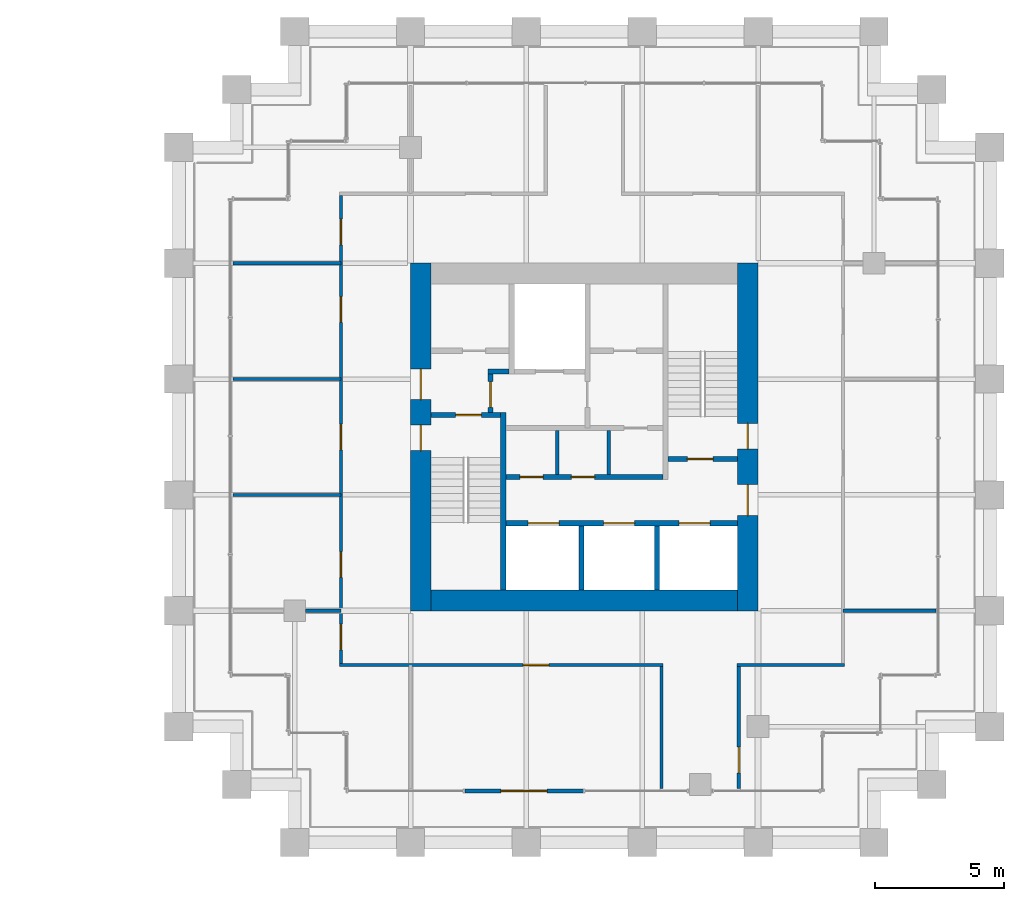
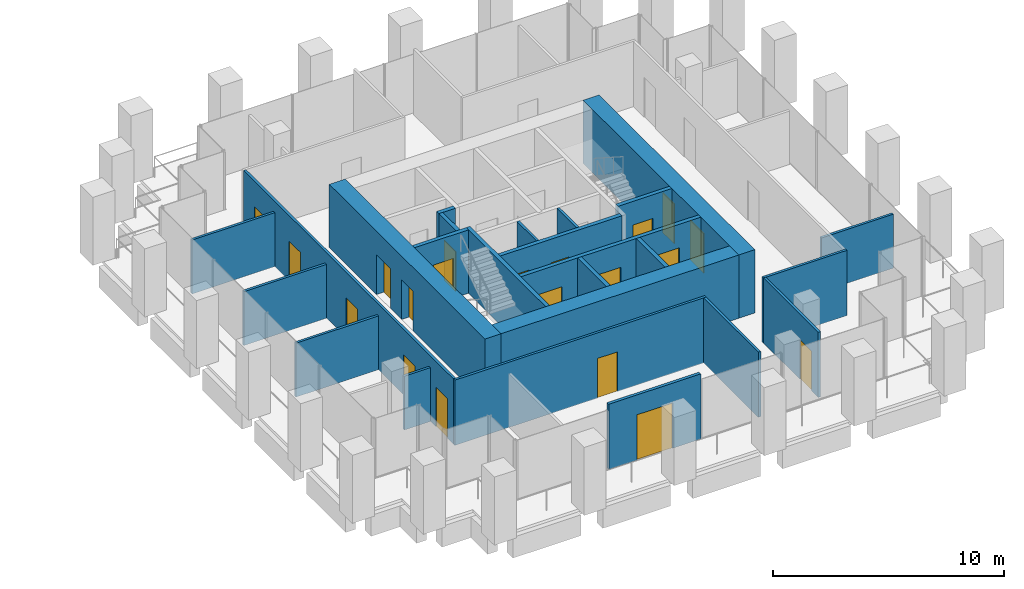
# One storey, part 52 of 56: 25 walls, 20 doors, 20 openings.
"""IFC4 building model written with IfcOpenShell, lengths in metres."""

from ifc_helpers import new_model, si_unit, direction, frame, frame_2d, origin, place, context, subcontext, project, spatial, rectangle, extrude, material, layer, layer_set, type_object, element, fill, save


model = new_model("IFC4")

# Units and contexts
model_context = context("Model", 3, precision=1e-05, world=origin(), true_north=direction((0.0, 1.0)))
body_context = subcontext(model_context, "Body", "Model", "MODEL_VIEW")
ifc_project = project(units=[si_unit("LENGTHUNIT", "METRE"), si_unit("AREAUNIT", "SQUARE_METRE"), si_unit("VOLUMEUNIT", "CUBIC_METRE"), si_unit("PLANEANGLEUNIT", "RADIAN"), si_unit("MASSUNIT", "GRAM", prefix="KILO")], contexts=[model_context])

# Site, building, storey
site_placement = place(None, origin())
site = spatial("IfcSite", under=ifc_project, at=site_placement, CompositionType="ELEMENT")
building_placement = place(site_placement, origin())
building = spatial("IfcBuilding", under=site, at=building_placement, Name="Altepetl Exchange Towers", CompositionType="ELEMENT")
storey_placement = place(building_placement, frame((0.0, 0.0, 51.0)))
storey = spatial("IfcBuildingStorey", under=building, at=storey_placement, Name="L11", CompositionType="ELEMENT", Elevation=51.0)

# Wall, openings, doors
ifc_material_1 = material(Name="Concrete C70/85", Category="concrete")
ifc_layer_1 = layer(ifc_material_1, 0.800048828125)
ifc_layer_set_1 = layer_set([ifc_layer_1], Name="Concrete C70/85")
wall_type_1 = type_object("IfcWallType", Name="Core wall 800 reinforced concrete", PredefinedType="SHEAR", material=ifc_layer_set_1)
wall_1_placement = place(storey_placement, frame((116.60009765625, 36.0, 0.0), z_axis=(0.0, 0.0, 1.0), x_axis=(0.0, 1.0, 0.0)))
wall_1 = element("IfcWall", 1, at=wall_1_placement, inside=storey, type_object=wall_type_1, Name="wall:B:L11:K-coreE", PredefinedType="SHEAR", context=body_context, shape_type="SweptSolid", body=[
    extrude(rectangle(XDim=13.5, YDim=0.800048828125, at=frame_2d((6.75, 0.0))), origin(), (0.0, 0.0, 1.0), 3.35009765625),
])
opening_1_placement = place(wall_1_placement, frame((3.699951171875, 0.0, 0.0)))
opening_1 = element("IfcOpeningElement", 2, at=opening_1_placement, cuts=wall_1, Name="Opening L11.B61", PredefinedType="OPENING", context=body_context, shape_type="SweptSolid", body=[
    extrude(rectangle(XDim=1.199951171875, YDim=2.10009765625, at=frame_2d((0.60009765625, 1.050048828125))), frame((0.0, 0.41015625, 0.0), z_axis=(0.0, -1.0, 0.0), x_axis=(1.0, 0.0, 0.0)), (0.0, 0.0, 1.0), 0.820068359375),
])
opening_2_placement = place(wall_1_placement, frame((6.27490234375, 0.0, 0.0)))
opening_2 = element("IfcOpeningElement", 3, at=opening_2_placement, cuts=wall_1, Name="Opening L11.B65", PredefinedType="OPENING", context=body_context, shape_type="SweptSolid", body=[
    extrude(rectangle(XDim=1.0, YDim=2.10009765625, at=frame_2d((0.5, 1.050048828125))), frame((0.0, 0.41015625, 0.0), z_axis=(0.0, -1.0, 0.0), x_axis=(1.0, 0.0, 0.0)), (0.0, 0.0, 1.0), 0.820068359375),
])
ifc_material_2 = material(Name="Steel and timber fire door", Category="steel")
door_type_1 = type_object("IfcDoorType", Name="Fire door 1000 x 2100 stair and lobby", OperationType="SINGLE_SWING_LEFT", PredefinedType="DOOR", material=ifc_material_2)
door_1_placement = place(opening_2_placement, origin())
door_1 = element("IfcDoor", 4, at=door_1_placement, inside=storey, type_object=door_type_1, Name="door:B:L11:K-dS2x", OperationType="SINGLE_SWING_LEFT", OverallHeight=2.10009765625, OverallWidth=1.0, PredefinedType="DOOR", context=body_context, shape_type="SweptSolid", body=[
    extrude(rectangle(XDim=1.0, YDim=2.10009765625, at=frame_2d((0.5, 1.050048828125))), frame((0.0, 0.02490234375, 0.0), z_axis=(0.0, -1.0, 0.0), x_axis=(1.0, 0.0, 0.0)), (0.0, 0.0, 1.0), 0.050048828125),
])
fill(opening_2, door_1)
door_type_2 = type_object("IfcDoorType", Name="Fire door 1200 x 2100 lobby entry", OperationType="SINGLE_SWING_LEFT", PredefinedType="DOOR", material=ifc_material_2)
door_2_placement = place(opening_1_placement, origin())
door_2 = element("IfcDoor", 5, at=door_2_placement, inside=storey, type_object=door_type_2, Name="door:B:L11:K-dLSE", OperationType="SINGLE_SWING_RIGHT", OverallHeight=2.10009765625, OverallWidth=1.199951171875, PredefinedType="DOOR", context=body_context, shape_type="SweptSolid", body=[
    extrude(rectangle(XDim=1.199951171875, YDim=2.10009765625, at=frame_2d((0.60009765625, 1.050048828125))), frame((0.0, 0.02490234375, 0.0), z_axis=(0.0, -1.0, 0.0), x_axis=(1.0, 0.0, 0.0)), (0.0, 0.0, 1.0), 0.050048828125),
])
fill(opening_1, door_2)

# Wall
wall_2_placement = place(storey_placement, frame((104.300048828125, 36.39990234375, 0.0)))
element("IfcWall", 6, at=wall_2_placement, inside=storey, type_object=wall_type_1, Name="wall:B:L11:K-coreS", PredefinedType="SHEAR", context=body_context, shape_type="SweptSolid", body=[
    extrude(rectangle(XDim=11.89990234375, YDim=0.800048828125, at=frame_2d((5.949951171875, 0.0))), origin(), (0.0, 0.0, 1.0), 3.35009765625),
])

# Wall, openings, doors
wall_3_placement = place(storey_placement, frame((103.89990234375, 36.0, 0.0), z_axis=(0.0, 0.0, 1.0), x_axis=(0.0, 1.0, 0.0)))
wall_3 = element("IfcWall", 7, at=wall_3_placement, inside=storey, type_object=wall_type_1, Name="wall:B:L11:K-coreW", PredefinedType="SHEAR", context=body_context, shape_type="SweptSolid", body=[
    extrude(rectangle(XDim=13.5, YDim=0.800048828125, at=frame_2d((6.75, 0.0))), origin(), (0.0, 0.0, 1.0), 3.35009765625),
])
opening_3_placement = place(wall_3_placement, frame((8.199951171875, 0.0, 0.0)))
opening_3 = element("IfcOpeningElement", 8, at=opening_3_placement, cuts=wall_3, Name="Opening L11.B60", PredefinedType="OPENING", context=body_context, shape_type="SweptSolid", body=[
    extrude(rectangle(XDim=1.199951171875, YDim=2.10009765625, at=frame_2d((0.60009765625, 1.050048828125))), frame((0.0, 0.41015625, 0.0), z_axis=(0.0, -1.0, 0.0), x_axis=(1.0, 0.0, 0.0)), (0.0, 0.0, 1.0), 0.820068359375),
])
opening_4_placement = place(wall_3_placement, frame((6.22509765625, 0.0, 0.0)))
opening_4 = element("IfcOpeningElement", 9, at=opening_4_placement, cuts=wall_3, Name="Opening L11.B63", PredefinedType="OPENING", context=body_context, shape_type="SweptSolid", body=[
    extrude(rectangle(XDim=1.0, YDim=2.10009765625, at=frame_2d((0.5, 1.050048828125))), frame((0.0, 0.41015625, 0.0), z_axis=(0.0, -1.0, 0.0), x_axis=(1.0, 0.0, 0.0)), (0.0, 0.0, 1.0), 0.820068359375),
])
door_3_placement = place(opening_4_placement, frame((1.0, 0.0, 0.0), x_axis=(-1.0, 0.0, 0.0)))
door_3 = element("IfcDoor", 10, at=door_3_placement, inside=storey, type_object=door_type_1, Name="door:B:L11:K-dS1x", OperationType="SINGLE_SWING_RIGHT", OverallHeight=2.10009765625, OverallWidth=1.0, PredefinedType="DOOR", context=body_context, shape_type="SweptSolid", body=[
    extrude(rectangle(XDim=1.0, YDim=2.10009765625, at=frame_2d((0.5, 1.050048828125))), frame((0.0, 0.02490234375, 0.0), z_axis=(0.0, -1.0, 0.0), x_axis=(1.0, 0.0, 0.0)), (0.0, 0.0, 1.0), 0.050048828125),
])
fill(opening_4, door_3)
door_4_placement = place(opening_3_placement, frame((1.199951171875, 0.0, 0.0), x_axis=(-1.0, 0.0, 0.0)))
door_4 = element("IfcDoor", 11, at=door_4_placement, inside=storey, type_object=door_type_2, Name="door:B:L11:K-dLNW", OperationType="SINGLE_SWING_RIGHT", OverallHeight=2.10009765625, OverallWidth=1.199951171875, PredefinedType="DOOR", context=body_context, shape_type="SweptSolid", body=[
    extrude(rectangle(XDim=1.199951171875, YDim=2.10009765625, at=frame_2d((0.60009765625, 1.050048828125))), frame((0.0, 0.02490234375, 0.0), z_axis=(0.0, -1.0, 0.0), x_axis=(1.0, 0.0, 0.0)), (0.0, 0.0, 1.0), 0.050048828125),
])
fill(opening_3, door_4)

# Wall, opening, door
ifc_material_3 = material(Name="Aluminium composite cladding", Category="aluminium")
ifc_layer_2 = layer(ifc_material_3, 0.14990234375)
ifc_layer_set_2 = layer_set([ifc_layer_2], Name="Aluminium composite cladding")
wall_type_2 = type_object("IfcWallType", Name="Infill wall 150 aluminium panel", PredefinedType="SOLIDWALL", material=ifc_layer_set_2)
wall_4_placement = place(storey_placement, frame((105.606201171875, 29.0, 0.0)))
wall_4 = element("IfcWall", 12, at=wall_4_placement, inside=storey, type_object=wall_type_2, Name="Loggia door bay wall", PredefinedType="SOLIDWALL", context=body_context, shape_type="SweptSolid", body=[
    extrude(rectangle(XDim=4.606201171875, YDim=0.14990234375, at=frame_2d((2.30322265625, 0.0))), origin(), (0.0, 0.0, 1.0), 3.449951171875),
])
opening_5_placement = place(wall_4_placement, frame((1.403076171875, 0.0, 0.0)))
opening_5 = element("IfcOpeningElement", 13, at=opening_5_placement, cuts=wall_4, Name="Opening L11.B90", PredefinedType="OPENING", context=body_context, shape_type="SweptSolid", body=[
    extrude(rectangle(XDim=1.800048828125, YDim=2.39990234375, at=frame_2d((0.89990234375, 1.199951171875))), frame((0.0, 0.0849609375, 0.0), z_axis=(0.0, -1.0, 0.0), x_axis=(1.0, 0.0, 0.0)), (0.0, 0.0, 1.0), 0.169921875),
])
ifc_material_4 = material(Name="Aluminium 6063-T6 and glass", Category="aluminium")
door_type_3 = type_object("IfcDoorType", Name="Glazed door pair 1800x2400", OperationType="DOUBLE_DOOR_DOUBLE_SWING", PredefinedType="NOTDEFINED", material=ifc_material_4)
door_5_placement = place(opening_5_placement, frame((1.800048828125, 0.0, 0.0), x_axis=(-1.0, 0.0, 0.0)))
door_5 = element("IfcDoor", 14, at=door_5_placement, inside=storey, type_object=door_type_3, Name="Loggia door", OperationType="DOUBLE_DOOR_DOUBLE_SWING", OverallHeight=2.39990234375, OverallWidth=1.800048828125, PredefinedType="NOTDEFINED", context=body_context, shape_type="SweptSolid", body=[
    extrude(rectangle(XDim=1.800048828125, YDim=2.39990234375, at=frame_2d((0.89990234375, 1.199951171875))), frame((0.0, 0.02490234375, 0.0), z_axis=(0.0, -1.0, 0.0), x_axis=(1.0, 0.0, 0.0)), (0.0, 0.0, 1.0), 0.050048828125),
])
fill(opening_5, door_5)

# Wall
ifc_material_5 = material(Name="Concrete blockwork", Category="masonry")
ifc_layer_3 = layer(ifc_material_5, 0.199951171875)
ifc_layer_set_3 = layer_set([ifc_layer_3], Name="Concrete blockwork")
wall_type_3 = type_object("IfcWallType", Name="Lobby wall 200 blockwork", PredefinedType="PARTITIONING", material=ifc_layer_set_3)
wall_5_placement = place(storey_placement, frame((106.5, 45.300048828125, 0.0)))
element("IfcWall", 15, at=wall_5_placement, inside=storey, type_object=wall_type_3, Name="wall:B:L11:K-ffNw", PredefinedType="PARTITIONING", context=body_context, shape_type="SweptSolid", body=[
    extrude(rectangle(XDim=0.833251953125, YDim=0.199951171875, at=frame_2d((0.41650390625, 0.0))), origin(), (0.0, 0.0, 1.0), 3.35009765625),
])

# Wall, opening, door
wall_6_placement = place(storey_placement, frame((106.60009765625, 43.699951171875, 0.0), z_axis=(0.0, 0.0, 1.0), x_axis=(0.0, 1.0, 0.0)))
wall_6 = element("IfcWall", 16, at=wall_6_placement, inside=storey, type_object=wall_type_3, Name="wall:B:L11:K-ffW", PredefinedType="PARTITIONING", context=body_context, shape_type="SweptSolid", body=[
    extrude(rectangle(XDim=1.5, YDim=0.199951171875, at=frame_2d((0.75, 0.0))), origin(), (0.0, 0.0, 1.0), 3.35009765625),
])
opening_6_placement = place(wall_6_placement, frame((0.199951171875, 0.0, 0.0)))
opening_6 = element("IfcOpeningElement", 17, at=opening_6_placement, cuts=wall_6, Name="Opening L11.B67", PredefinedType="OPENING", context=body_context, shape_type="SweptSolid", body=[
    extrude(rectangle(XDim=1.0, YDim=2.10009765625, at=frame_2d((0.5, 1.050048828125))), frame((0.0, 0.10986328125, 0.0), z_axis=(0.0, -1.0, 0.0), x_axis=(1.0, 0.0, 0.0)), (0.0, 0.0, 1.0), 0.219970703125),
])
door_6_placement = place(opening_6_placement, frame((1.0, 0.0, 0.0), x_axis=(-1.0, 0.0, 0.0)))
door_6 = element("IfcDoor", 18, at=door_6_placement, inside=storey, type_object=door_type_1, Name="door:B:L11:K-dffW", OperationType="SINGLE_SWING_LEFT", OverallHeight=2.10009765625, OverallWidth=1.0, PredefinedType="DOOR", context=body_context, shape_type="SweptSolid", body=[
    extrude(rectangle(XDim=1.0, YDim=2.10009765625, at=frame_2d((0.5, 1.050048828125))), frame((0.0, 0.02490234375, 0.0), z_axis=(0.0, -1.0, 0.0), x_axis=(1.0, 0.0, 0.0)), (0.0, 0.0, 1.0), 0.050048828125),
])
fill(opening_6, door_6)

# Wall, openings, doors
wall_7_placement = place(storey_placement, frame((107.199951171875, 41.199951171875, 0.0)))
wall_7 = element("IfcWall", 19, at=wall_7_placement, inside=storey, type_object=wall_type_3, Name="wall:B:L11:K-zoneS", PredefinedType="PARTITIONING", context=body_context, shape_type="SweptSolid", body=[
    extrude(rectangle(XDim=6.10009765625, YDim=0.199951171875, at=frame_2d((3.050048828125, 0.0))), origin(), (0.0, 0.0, 1.0), 3.35009765625),
])
opening_7_placement = place(wall_7_placement, frame((0.550048828125, 0.0, 0.0)))
opening_7 = element("IfcOpeningElement", 20, at=opening_7_placement, cuts=wall_7, Name="Opening L11.B70", PredefinedType="OPENING", context=body_context, shape_type="SweptSolid", body=[
    extrude(rectangle(XDim=0.89990234375, YDim=2.10009765625, at=frame_2d((0.449951171875, 1.050048828125))), frame((0.0, 0.10986328125, 0.0), z_axis=(0.0, -1.0, 0.0), x_axis=(1.0, 0.0, 0.0)), (0.0, 0.0, 1.0), 0.219970703125),
])
opening_8_placement = place(wall_7_placement, frame((2.550048828125, 0.0, 0.0)))
opening_8 = element("IfcOpeningElement", 21, at=opening_8_placement, cuts=wall_7, Name="Opening L11.B71", PredefinedType="OPENING", context=body_context, shape_type="SweptSolid", body=[
    extrude(rectangle(XDim=0.89990234375, YDim=2.10009765625, at=frame_2d((0.449951171875, 1.050048828125))), frame((0.0, 0.10986328125, 0.0), z_axis=(0.0, -1.0, 0.0), x_axis=(1.0, 0.0, 0.0)), (0.0, 0.0, 1.0), 0.219970703125),
])
door_type_4 = type_object("IfcDoorType", Name="Fire door 900 x 2100 service room", OperationType="SINGLE_SWING_LEFT", PredefinedType="DOOR", material=ifc_material_2)
door_7_placement = place(opening_7_placement, origin())
door_7 = element("IfcDoor", 22, at=door_7_placement, inside=storey, type_object=door_type_4, Name="door:B:L11:K-dz1", OperationType="SINGLE_SWING_RIGHT", OverallHeight=2.10009765625, OverallWidth=0.89990234375, PredefinedType="DOOR", context=body_context, shape_type="SweptSolid", body=[
    extrude(rectangle(XDim=0.89990234375, YDim=2.10009765625, at=frame_2d((0.449951171875, 1.050048828125))), frame((0.0, 0.02490234375, 0.0), z_axis=(0.0, -1.0, 0.0), x_axis=(1.0, 0.0, 0.0)), (0.0, 0.0, 1.0), 0.050048828125),
])
fill(opening_7, door_7)
door_8_placement = place(opening_8_placement, origin())
door_8 = element("IfcDoor", 23, at=door_8_placement, inside=storey, type_object=door_type_4, Name="door:B:L11:K-dz2", OperationType="SINGLE_SWING_LEFT", OverallHeight=2.10009765625, OverallWidth=0.89990234375, PredefinedType="DOOR", context=body_context, shape_type="SweptSolid", body=[
    extrude(rectangle(XDim=0.89990234375, YDim=2.10009765625, at=frame_2d((0.449951171875, 1.050048828125))), frame((0.0, 0.02490234375, 0.0), z_axis=(0.0, -1.0, 0.0), x_axis=(1.0, 0.0, 0.0)), (0.0, 0.0, 1.0), 0.050048828125),
])
fill(opening_8, door_8)

# Walls
ifc_material_6 = material(Name="Timber panels on aluminium track", Category="wood")
ifc_layer_4 = layer(ifc_material_6, 0.125)
ifc_layer_set_4 = layer_set([ifc_layer_4], Name="Timber panels on aluminium track")
wall_type_4 = type_object("IfcWallType", Name="Operable acoustic partition 125", PredefinedType="MOVABLE", material=ifc_layer_set_4)
for number, where, name in (
    (24, (96.60009765625, 40.5, 0.0), "wall:B:L11:P06"),
    (25, (96.60009765625, 45.0, 0.0), "wall:B:L11:P07"),
):
    element("IfcWall", number, at=place(storey_placement, frame(where)), inside=storey, type_object=wall_type_4, Name=name, PredefinedType="MOVABLE", context=body_context, shape_type="SweptSolid", body=[
        extrude(rectangle(XDim=4.199951171875, YDim=0.125, at=frame_2d((2.10009765625, 0.0))), origin(), (0.0, 0.0, 1.0), 2.85107421875),
    ])
ifc_material_7 = material(Name="Gypsum board on steel studs", Category="steel")
ifc_layer_5 = layer(ifc_material_7, 0.125)
ifc_layer_set_5 = layer_set([ifc_layer_5], Name="Gypsum board on steel studs")
wall_type_5 = type_object("IfcWallType", Name="Partition 125 gypsum board on steel studs", PredefinedType="PARTITIONING", material=ifc_layer_set_5)
for number, where, z_axis, x_axis, name in (
    (26, (109.199951171875, 41.300048828125, 0.0), (0.0, 0.0, 1.0), (0.0, 1.0, 0.0), "wall:B:L11:K-zp1"),
    (27, (111.199951171875, 41.300048828125, 0.0), (0.0, 0.0, 1.0), (0.0, 1.0, 0.0), "wall:B:L11:K-zp2"),
):
    element("IfcWall", number, at=place(storey_placement, frame(where, z_axis=z_axis, x_axis=x_axis)), inside=storey, type_object=wall_type_5, Name=name, PredefinedType="PARTITIONING", context=body_context, shape_type="SweptSolid", body=[
        extrude(rectangle(XDim=1.699951171875, YDim=0.125, at=frame_2d((0.85009765625, 0.0))), origin(), (0.0, 0.0, 1.0), 3.35009765625),
    ])

# Wall, opening, door
wall_8_placement = place(storey_placement, frame((100.737548828125, 33.89990234375, 0.0)))
wall_8 = element("IfcWall", 28, at=wall_8_placement, inside=storey, type_object=wall_type_5, Name="wall:B:L11:P01", PredefinedType="PARTITIONING", context=body_context, shape_type="SweptSolid", body=[
    extrude(rectangle(XDim=12.574951171875, YDim=0.125, at=frame_2d((6.28759765625, 0.0))), origin(), (0.0, 0.0, 1.0), 3.449951171875),
])
opening_9_placement = place(wall_8_placement, frame((7.137451171875, 0.0, 0.0)))
opening_9 = element("IfcOpeningElement", 29, at=opening_9_placement, cuts=wall_8, Name="Opening L11.B04", PredefinedType="OPENING", context=body_context, shape_type="SweptSolid", body=[
    extrude(rectangle(XDim=1.0, YDim=2.10009765625, at=frame_2d((0.5, 1.050048828125))), frame((0.0, 0.072509765625, 0.0), z_axis=(0.0, -1.0, 0.0), x_axis=(1.0, 0.0, 0.0)), (0.0, 0.0, 1.0), 0.14501953125),
])
door_type_5 = type_object("IfcDoorType", Name="Fire door 1000 x 2100 single leaf", OperationType="SINGLE_SWING_LEFT", PredefinedType="DOOR", material=ifc_material_2)
door_9_placement = place(opening_9_placement, frame((1.0, 0.0, 0.0), x_axis=(-1.0, 0.0, 0.0)))
door_9 = element("IfcDoor", 30, at=door_9_placement, inside=storey, type_object=door_type_5, Name="door:B:L11:04", OperationType="SINGLE_SWING_LEFT", OverallHeight=2.10009765625, OverallWidth=1.0, PredefinedType="DOOR", context=body_context, shape_type="SweptSolid", body=[
    extrude(rectangle(XDim=1.0, YDim=2.10009765625, at=frame_2d((0.5, 1.050048828125))), frame((0.0, 0.02490234375, 0.0), z_axis=(0.0, -1.0, 0.0), x_axis=(1.0, 0.0, 0.0)), (0.0, 0.0, 1.0), 0.050048828125),
])
fill(opening_9, door_9)

# Walls
wall_9_placement = place(storey_placement, frame((116.1875, 33.89990234375, 0.0)))
element("IfcWall", 31, at=wall_9_placement, inside=storey, type_object=wall_type_5, Name="wall:B:L11:P02", PredefinedType="PARTITIONING", context=body_context, shape_type="SweptSolid", body=[
    extrude(rectangle(XDim=4.175048828125, YDim=0.125, at=frame_2d((2.08740234375, 0.0))), origin(), (0.0, 0.0, 1.0), 3.449951171875),
])
wall_10_placement = place(storey_placement, frame((99.425048828125, 36.0, 0.0)))
element("IfcWall", 32, at=wall_10_placement, inside=storey, type_object=wall_type_5, Name="wall:B:L11:P04", PredefinedType="PARTITIONING", context=body_context, shape_type="SweptSolid", body=[
    extrude(rectangle(XDim=1.375, YDim=0.125, at=frame_2d((0.6875, 0.0))), origin(), (0.0, 0.0, 1.0), 2.842041015625),
])
wall_11_placement = place(storey_placement, frame((120.300048828125, 36.0, 0.0)))
element("IfcWall", 33, at=wall_11_placement, inside=storey, type_object=wall_type_5, Name="wall:B:L11:P05", PredefinedType="PARTITIONING", context=body_context, shape_type="SweptSolid", body=[
    extrude(rectangle(XDim=3.599853515625, YDim=0.125, at=frame_2d((1.7998046875, 0.0))), origin(), (0.0, 0.0, 1.0), 2.85107421875),
])
wall_12_placement = place(storey_placement, frame((96.60009765625, 49.5, 0.0)))
element("IfcWall", 34, at=wall_12_placement, inside=storey, type_object=wall_type_5, Name="wall:B:L11:P09", PredefinedType="PARTITIONING", context=body_context, shape_type="SweptSolid", body=[
    extrude(rectangle(XDim=4.199951171875, YDim=0.125, at=frame_2d((2.10009765625, 0.0))), origin(), (0.0, 0.0, 1.0), 2.85107421875),
])

# Wall, openings, doors
wall_13_placement = place(storey_placement, frame((100.800048828125, 33.96240234375, 0.0), z_axis=(0.0, 0.0, 1.0), x_axis=(0.0, 1.0, 0.0)))
wall_13 = element("IfcWall", 35, at=wall_13_placement, inside=storey, type_object=wall_type_5, Name="wall:B:L11:P14", PredefinedType="PARTITIONING", context=body_context, shape_type="SweptSolid", body=[
    extrude(rectangle(XDim=18.175048828125, YDim=0.125, at=frame_2d((9.08740234375, 0.0))), origin(), (0.0, 0.0, 1.0), 3.449951171875),
])
opening_10_placement = place(wall_13_placement, frame((8.28759765625, 0.0, 0.0)))
opening_10 = element("IfcOpeningElement", 36, at=opening_10_placement, cuts=wall_13, Name="Opening L11.B01", PredefinedType="OPENING", context=body_context, shape_type="SweptSolid", body=[
    extrude(rectangle(XDim=1.0, YDim=2.10009765625, at=frame_2d((0.5, 1.050048828125))), frame((0.0, 0.072509765625, 0.0), z_axis=(0.0, -1.0, 0.0), x_axis=(1.0, 0.0, 0.0)), (0.0, 0.0, 1.0), 0.14501953125),
])
opening_11_placement = place(wall_13_placement, frame((3.33251953125, 0.0, 0.0)))
opening_11 = element("IfcOpeningElement", 37, at=opening_11_placement, cuts=wall_13, Name="Opening L11.B02", PredefinedType="OPENING", context=body_context, shape_type="SweptSolid", body=[
    extrude(rectangle(XDim=1.0, YDim=2.10009765625, at=frame_2d((0.5, 1.050048828125))), frame((0.0, 0.072509765625, 0.0), z_axis=(0.0, -1.0, 0.0), x_axis=(1.0, 0.0, 0.0)), (0.0, 0.0, 1.0), 0.14501953125),
])
opening_12_placement = place(wall_13_placement, frame((0.5224609375, 0.0, 0.0)))
opening_12 = element("IfcOpeningElement", 38, at=opening_12_placement, cuts=wall_13, Name="Opening L11.B03", PredefinedType="OPENING", context=body_context, shape_type="SweptSolid", body=[
    extrude(rectangle(XDim=1.0, YDim=2.10009765625, at=frame_2d((0.5, 1.050048828125))), frame((0.0, 0.072509765625, 0.0), z_axis=(0.0, -1.0, 0.0), x_axis=(1.0, 0.0, 0.0)), (0.0, 0.0, 1.0), 0.14501953125),
])
opening_13_placement = place(wall_13_placement, frame((16.24755859375, 0.0, 0.0)))
opening_13 = element("IfcOpeningElement", 39, at=opening_13_placement, cuts=wall_13, Name="Opening L11.B11", PredefinedType="OPENING", context=body_context, shape_type="SweptSolid", body=[
    extrude(rectangle(XDim=1.0, YDim=2.10009765625, at=frame_2d((0.5, 1.050048828125))), frame((0.0, 0.072509765625, 0.0), z_axis=(0.0, -1.0, 0.0), x_axis=(1.0, 0.0, 0.0)), (0.0, 0.0, 1.0), 0.14501953125),
])
opening_14_placement = place(wall_13_placement, frame((13.242431640625, 0.0, 0.0)))
opening_14 = element("IfcOpeningElement", 40, at=opening_14_placement, cuts=wall_13, Name="Opening L11.B12", PredefinedType="OPENING", context=body_context, shape_type="SweptSolid", body=[
    extrude(rectangle(XDim=1.0, YDim=2.10009765625, at=frame_2d((0.5, 1.050048828125))), frame((0.0, 0.072509765625, 0.0), z_axis=(0.0, -1.0, 0.0), x_axis=(1.0, 0.0, 0.0)), (0.0, 0.0, 1.0), 0.14501953125),
])
door_10_placement = place(opening_10_placement, origin())
door_10 = element("IfcDoor", 41, at=door_10_placement, inside=storey, type_object=door_type_5, Name="door:B:L11:01", OperationType="SINGLE_SWING_RIGHT", OverallHeight=2.10009765625, OverallWidth=1.0, PredefinedType="DOOR", context=body_context, shape_type="SweptSolid", body=[
    extrude(rectangle(XDim=1.0, YDim=2.10009765625, at=frame_2d((0.5, 1.050048828125))), frame((0.0, 0.02490234375, 0.0), z_axis=(0.0, -1.0, 0.0), x_axis=(1.0, 0.0, 0.0)), (0.0, 0.0, 1.0), 0.050048828125),
])
fill(opening_10, door_10)
door_11_placement = place(opening_11_placement, origin())
door_11 = element("IfcDoor", 42, at=door_11_placement, inside=storey, type_object=door_type_5, Name="door:B:L11:02", OperationType="SINGLE_SWING_LEFT", OverallHeight=2.10009765625, OverallWidth=1.0, PredefinedType="DOOR", context=body_context, shape_type="SweptSolid", body=[
    extrude(rectangle(XDim=1.0, YDim=2.10009765625, at=frame_2d((0.5, 1.050048828125))), frame((0.0, 0.02490234375, 0.0), z_axis=(0.0, -1.0, 0.0), x_axis=(1.0, 0.0, 0.0)), (0.0, 0.0, 1.0), 0.050048828125),
])
fill(opening_11, door_11)
door_12_placement = place(opening_12_placement, frame((1.0, 0.0, 0.0), x_axis=(-1.0, 0.0, 0.0)))
door_12 = element("IfcDoor", 43, at=door_12_placement, inside=storey, type_object=door_type_5, Name="door:B:L11:03", OperationType="SINGLE_SWING_RIGHT", OverallHeight=2.10009765625, OverallWidth=1.0, PredefinedType="DOOR", context=body_context, shape_type="SweptSolid", body=[
    extrude(rectangle(XDim=1.0, YDim=2.10009765625, at=frame_2d((0.5, 1.050048828125))), frame((0.0, 0.02490234375, 0.0), z_axis=(0.0, -1.0, 0.0), x_axis=(1.0, 0.0, 0.0)), (0.0, 0.0, 1.0), 0.050048828125),
])
fill(opening_12, door_12)
door_13_placement = place(opening_13_placement, frame((1.0, 0.0, 0.0), x_axis=(-1.0, 0.0, 0.0)))
door_13 = element("IfcDoor", 44, at=door_13_placement, inside=storey, type_object=door_type_5, Name="door:B:L11:11", OperationType="SINGLE_SWING_LEFT", OverallHeight=2.10009765625, OverallWidth=1.0, PredefinedType="DOOR", context=body_context, shape_type="SweptSolid", body=[
    extrude(rectangle(XDim=1.0, YDim=2.10009765625, at=frame_2d((0.5, 1.050048828125))), frame((0.0, 0.02490234375, 0.0), z_axis=(0.0, -1.0, 0.0), x_axis=(1.0, 0.0, 0.0)), (0.0, 0.0, 1.0), 0.050048828125),
])
fill(opening_13, door_13)
door_14_placement = place(opening_14_placement, origin())
door_14 = element("IfcDoor", 45, at=door_14_placement, inside=storey, type_object=door_type_5, Name="door:B:L11:12", OperationType="SINGLE_SWING_LEFT", OverallHeight=2.10009765625, OverallWidth=1.0, PredefinedType="DOOR", context=body_context, shape_type="SweptSolid", body=[
    extrude(rectangle(XDim=1.0, YDim=2.10009765625, at=frame_2d((0.5, 1.050048828125))), frame((0.0, 0.02490234375, 0.0), z_axis=(0.0, -1.0, 0.0), x_axis=(1.0, 0.0, 0.0)), (0.0, 0.0, 1.0), 0.050048828125),
])
fill(opening_14, door_14)

# Wall
wall_14_placement = place(storey_placement, frame((113.25, 29.10009765625, 0.0), z_axis=(0.0, 0.0, 1.0), x_axis=(0.0, 1.0, 0.0)))
element("IfcWall", 46, at=wall_14_placement, inside=storey, type_object=wall_type_5, Name="wall:B:L11:P20", PredefinedType="PARTITIONING", context=body_context, shape_type="SweptSolid", body=[
    extrude(rectangle(XDim=4.7373046875, YDim=0.125, at=frame_2d((2.36865234375, 0.0))), origin(), (0.0, 0.0, 1.0), 3.449951171875),
])

# Wall, opening, door
wall_15_placement = place(storey_placement, frame((116.25, 29.10009765625, 0.0), z_axis=(0.0, 0.0, 1.0), x_axis=(0.0, 1.0, 0.0)))
wall_15 = element("IfcWall", 47, at=wall_15_placement, inside=storey, type_object=wall_type_5, Name="wall:B:L11:P21", PredefinedType="PARTITIONING", context=body_context, shape_type="SweptSolid", body=[
    extrude(rectangle(XDim=4.7373046875, YDim=0.125, at=frame_2d((2.36865234375, 0.0))), origin(), (0.0, 0.0, 1.0), 3.449951171875),
])
opening_15_placement = place(wall_15_placement, frame((0.60009765625, 0.0, 0.0)))
opening_15 = element("IfcOpeningElement", 48, at=opening_15_placement, cuts=wall_15, Name="Opening L11.B05", PredefinedType="OPENING", context=body_context, shape_type="SweptSolid", body=[
    extrude(rectangle(XDim=1.0, YDim=2.10009765625, at=frame_2d((0.5, 1.050048828125))), frame((0.0, 0.072509765625, 0.0), z_axis=(0.0, -1.0, 0.0), x_axis=(1.0, 0.0, 0.0)), (0.0, 0.0, 1.0), 0.14501953125),
])
door_15_placement = place(opening_15_placement, frame((1.0, 0.0, 0.0), x_axis=(-1.0, 0.0, 0.0)))
door_15 = element("IfcDoor", 49, at=door_15_placement, inside=storey, type_object=door_type_5, Name="door:B:L11:05", OperationType="SINGLE_SWING_LEFT", OverallHeight=2.10009765625, OverallWidth=1.0, PredefinedType="DOOR", context=body_context, shape_type="SweptSolid", body=[
    extrude(rectangle(XDim=1.0, YDim=2.10009765625, at=frame_2d((0.5, 1.050048828125))), frame((0.0, 0.02490234375, 0.0), z_axis=(0.0, -1.0, 0.0), x_axis=(1.0, 0.0, 0.0)), (0.0, 0.0, 1.0), 0.050048828125),
])
fill(opening_15, door_15)

# Walls
ifc_material_8 = material(Name="Concrete C40/50", Category="concrete")
ifc_layer_6 = layer(ifc_material_8, 0.199951171875)
ifc_layer_set_6 = layer_set([ifc_layer_6], Name="Concrete C40/50")
wall_type_6 = type_object("IfcWallType", Name="Shaft wall 200 reinforced concrete", PredefinedType="SHEAR", material=ifc_layer_set_6)
for number, where, z_axis, x_axis, name in (
    (50, (110.13330078125, 36.800048828125, 0.0), (0.0, 0.0, 1.0), (0.0, 1.0, 0.0), "wall:B:L11:K-divS1"),
    (51, (113.066650390625, 36.800048828125, 0.0), (0.0, 0.0, 1.0), (0.0, 1.0, 0.0), "wall:B:L11:K-divS2"),
):
    element("IfcWall", number, at=place(storey_placement, frame(where, z_axis=z_axis, x_axis=x_axis)), inside=storey, type_object=wall_type_6, Name=name, PredefinedType="SHEAR", context=body_context, shape_type="SweptSolid", body=[
        extrude(rectangle(XDim=2.5, YDim=0.199951171875, at=frame_2d((1.25, 0.0))), origin(), (0.0, 0.0, 1.0), 3.35009765625),
    ])

# Wall, openings, doors
wall_16_placement = place(storey_placement, frame((107.199951171875, 39.39990234375, 0.0)))
wall_16 = element("IfcWall", 52, at=wall_16_placement, inside=storey, type_object=wall_type_6, Name="wall:B:L11:K-frontS", PredefinedType="SHEAR", context=body_context, shape_type="SweptSolid", body=[
    extrude(rectangle(XDim=9.0, YDim=0.199951171875, at=frame_2d((4.5, 0.0))), origin(), (0.0, 0.0, 1.0), 3.35009765625),
])
opening_16_placement = place(wall_16_placement, frame((0.86669921875, 0.0, 0.0)))
opening_16 = element("IfcOpeningElement", 53, at=opening_16_placement, cuts=wall_16, Name="Opening L11.B74", PredefinedType="OPENING", context=body_context, shape_type="SweptSolid", body=[
    extrude(rectangle(XDim=1.199951171875, YDim=2.10009765625, at=frame_2d((0.60009765625, 1.050048828125))), frame((0.0, 0.10986328125, 0.0), z_axis=(0.0, -1.0, 0.0), x_axis=(1.0, 0.0, 0.0)), (0.0, 0.0, 1.0), 0.219970703125),
])
opening_17_placement = place(wall_16_placement, frame((3.800048828125, 0.0, 0.0)))
opening_17 = element("IfcOpeningElement", 54, at=opening_17_placement, cuts=wall_16, Name="Opening L11.B75", PredefinedType="OPENING", context=body_context, shape_type="SweptSolid", body=[
    extrude(rectangle(XDim=1.199951171875, YDim=2.10009765625, at=frame_2d((0.60009765625, 1.050048828125))), frame((0.0, 0.10986328125, 0.0), z_axis=(0.0, -1.0, 0.0), x_axis=(1.0, 0.0, 0.0)), (0.0, 0.0, 1.0), 0.219970703125),
])
opening_18_placement = place(wall_16_placement, frame((6.7333984375, 0.0, 0.0)))
opening_18 = element("IfcOpeningElement", 55, at=opening_18_placement, cuts=wall_16, Name="Opening L11.B76", PredefinedType="OPENING", context=body_context, shape_type="SweptSolid", body=[
    extrude(rectangle(XDim=1.199951171875, YDim=2.10009765625, at=frame_2d((0.60009765625, 1.050048828125))), frame((0.0, 0.10986328125, 0.0), z_axis=(0.0, -1.0, 0.0), x_axis=(1.0, 0.0, 0.0)), (0.0, 0.0, 1.0), 0.219970703125),
])
ifc_material_9 = material(Name="Stainless steel", Category="steel")
door_type_6 = type_object("IfcDoorType", Name="Lift landing door 1200 x 2100", OperationType="SLIDING_TO_LEFT", PredefinedType="DOOR", material=ifc_material_9)
door_16_placement = place(opening_16_placement, origin())
door_16 = element("IfcDoor", 56, at=door_16_placement, inside=storey, type_object=door_type_6, Name="Landing door P1", OperationType="SLIDING_TO_LEFT", OverallHeight=2.10009765625, OverallWidth=1.199951171875, PredefinedType="DOOR", context=body_context, shape_type="SweptSolid", body=[
    extrude(rectangle(XDim=1.199951171875, YDim=2.10009765625, at=frame_2d((0.60009765625, 1.050048828125))), frame((0.0, 0.02490234375, 0.0), z_axis=(0.0, -1.0, 0.0), x_axis=(1.0, 0.0, 0.0)), (0.0, 0.0, 1.0), 0.050048828125),
])
fill(opening_16, door_16)
door_17_placement = place(opening_17_placement, origin())
door_17 = element("IfcDoor", 57, at=door_17_placement, inside=storey, type_object=door_type_6, Name="Landing door P2", OperationType="SLIDING_TO_LEFT", OverallHeight=2.10009765625, OverallWidth=1.199951171875, PredefinedType="DOOR", context=body_context, shape_type="SweptSolid", body=[
    extrude(rectangle(XDim=1.199951171875, YDim=2.10009765625, at=frame_2d((0.60009765625, 1.050048828125))), frame((0.0, 0.02490234375, 0.0), z_axis=(0.0, -1.0, 0.0), x_axis=(1.0, 0.0, 0.0)), (0.0, 0.0, 1.0), 0.050048828125),
])
fill(opening_17, door_17)
door_18_placement = place(opening_18_placement, origin())
door_18 = element("IfcDoor", 58, at=door_18_placement, inside=storey, type_object=door_type_6, Name="Landing door P3", OperationType="SLIDING_TO_LEFT", OverallHeight=2.10009765625, OverallWidth=1.199951171875, PredefinedType="DOOR", context=body_context, shape_type="SweptSolid", body=[
    extrude(rectangle(XDim=1.199951171875, YDim=2.10009765625, at=frame_2d((0.60009765625, 1.050048828125))), frame((0.0, 0.02490234375, 0.0), z_axis=(0.0, -1.0, 0.0), x_axis=(1.0, 0.0, 0.0)), (0.0, 0.0, 1.0), 0.050048828125),
])
fill(opening_18, door_18)

# Wall
ifc_layer_7 = layer(ifc_material_8, 0.199951171875)
ifc_layer_set_7 = layer_set([ifc_layer_7], Name="Concrete C40/50")
wall_type_7 = type_object("IfcWallType", Name="Stair wall 200 reinforced concrete", PredefinedType="SHEAR", material=ifc_layer_set_7)
wall_17_placement = place(storey_placement, frame((107.10009765625, 36.800048828125, 0.0), z_axis=(0.0, 0.0, 1.0), x_axis=(0.0, 1.0, 0.0)))
element("IfcWall", 59, at=wall_17_placement, inside=storey, type_object=wall_type_7, Name="wall:B:L11:K-stS1E", PredefinedType="SHEAR", context=body_context, shape_type="SweptSolid", body=[
    extrude(rectangle(XDim=6.89990234375, YDim=0.199951171875, at=frame_2d((3.449951171875, 0.0))), origin(), (0.0, 0.0, 1.0), 3.35009765625),
])

# Wall, opening, door
wall_18_placement = place(storey_placement, frame((104.300048828125, 43.60009765625, 0.0)))
wall_18 = element("IfcWall", 60, at=wall_18_placement, inside=storey, type_object=wall_type_7, Name="wall:B:L11:K-stS1N", PredefinedType="SHEAR", context=body_context, shape_type="SweptSolid", body=[
    extrude(rectangle(XDim=2.699951171875, YDim=0.199951171875, at=frame_2d((1.35009765625, 0.0))), origin(), (0.0, 0.0, 1.0), 3.35009765625),
])
opening_19_placement = place(wall_18_placement, frame((0.949951171875, 0.0, 0.0)))
opening_19 = element("IfcOpeningElement", 61, at=opening_19_placement, cuts=wall_18, Name="Opening L11.B62", PredefinedType="OPENING", context=body_context, shape_type="SweptSolid", body=[
    extrude(rectangle(XDim=1.0, YDim=2.10009765625, at=frame_2d((0.5, 1.050048828125))), frame((0.0, 0.10986328125, 0.0), z_axis=(0.0, -1.0, 0.0), x_axis=(1.0, 0.0, 0.0)), (0.0, 0.0, 1.0), 0.219970703125),
])
door_19_placement = place(opening_19_placement, frame((1.0, 0.0, 0.0), x_axis=(-1.0, 0.0, 0.0)))
door_19 = element("IfcDoor", 62, at=door_19_placement, inside=storey, type_object=door_type_1, Name="door:B:L11:K-dS1in", OperationType="SINGLE_SWING_LEFT", OverallHeight=2.10009765625, OverallWidth=1.0, PredefinedType="DOOR", context=body_context, shape_type="SweptSolid", body=[
    extrude(rectangle(XDim=1.0, YDim=2.10009765625, at=frame_2d((0.5, 1.050048828125))), frame((0.0, 0.02490234375, 0.0), z_axis=(0.0, -1.0, 0.0), x_axis=(1.0, 0.0, 0.0)), (0.0, 0.0, 1.0), 0.050048828125),
])
fill(opening_19, door_19)

wall_19_placement = place(storey_placement, frame((113.5, 41.89990234375, 0.0)))
wall_19 = element("IfcWall", 63, at=wall_19_placement, inside=storey, type_object=wall_type_7, Name="wall:B:L11:K-stS2S", PredefinedType="SHEAR", context=body_context, shape_type="SweptSolid", body=[
    extrude(rectangle(XDim=2.699951171875, YDim=0.199951171875, at=frame_2d((1.35009765625, 0.0))), origin(), (0.0, 0.0, 1.0), 3.35009765625),
])
opening_20_placement = place(wall_19_placement, frame((0.75, 0.0, 0.0)))
opening_20 = element("IfcOpeningElement", 64, at=opening_20_placement, cuts=wall_19, Name="Opening L11.B64", PredefinedType="OPENING", context=body_context, shape_type="SweptSolid", body=[
    extrude(rectangle(XDim=1.0, YDim=2.10009765625, at=frame_2d((0.5, 1.050048828125))), frame((0.0, 0.10986328125, 0.0), z_axis=(0.0, -1.0, 0.0), x_axis=(1.0, 0.0, 0.0)), (0.0, 0.0, 1.0), 0.219970703125),
])
door_20_placement = place(opening_20_placement, origin())
door_20 = element("IfcDoor", 65, at=door_20_placement, inside=storey, type_object=door_type_1, Name="door:B:L11:K-dS2in", OperationType="SINGLE_SWING_RIGHT", OverallHeight=2.10009765625, OverallWidth=1.0, PredefinedType="DOOR", context=body_context, shape_type="SweptSolid", body=[
    extrude(rectangle(XDim=1.0, YDim=2.10009765625, at=frame_2d((0.5, 1.050048828125))), frame((0.0, 0.02490234375, 0.0), z_axis=(0.0, -1.0, 0.0), x_axis=(1.0, 0.0, 0.0)), (0.0, 0.0, 1.0), 0.050048828125),
])
fill(opening_20, door_20)

save(model, "model.ifc")
